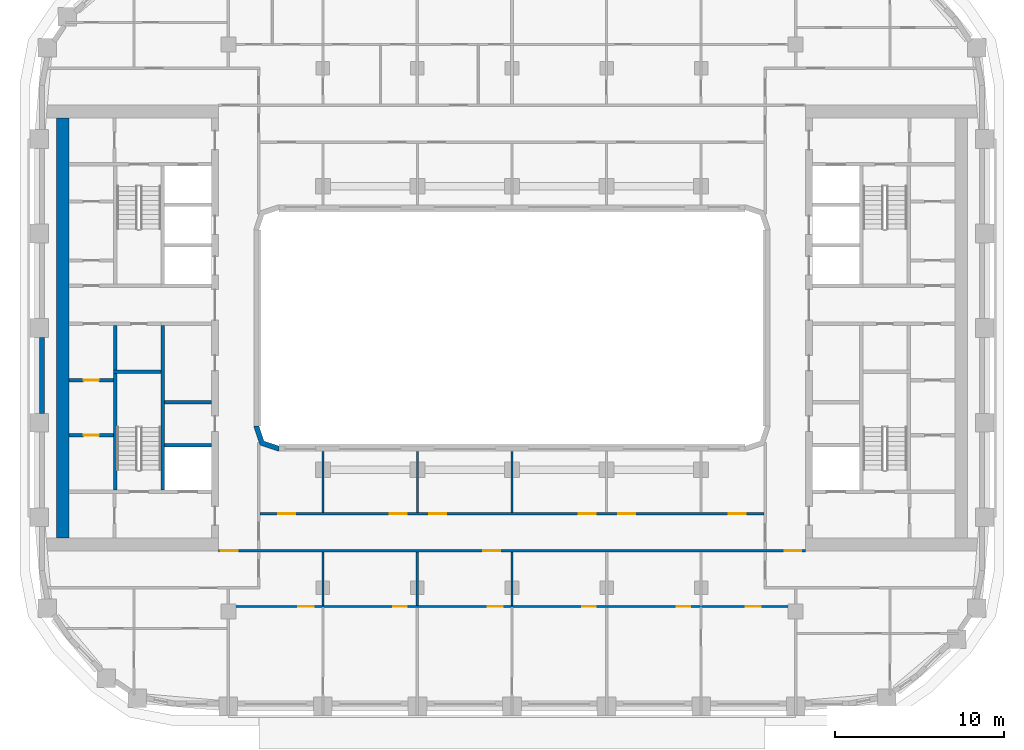
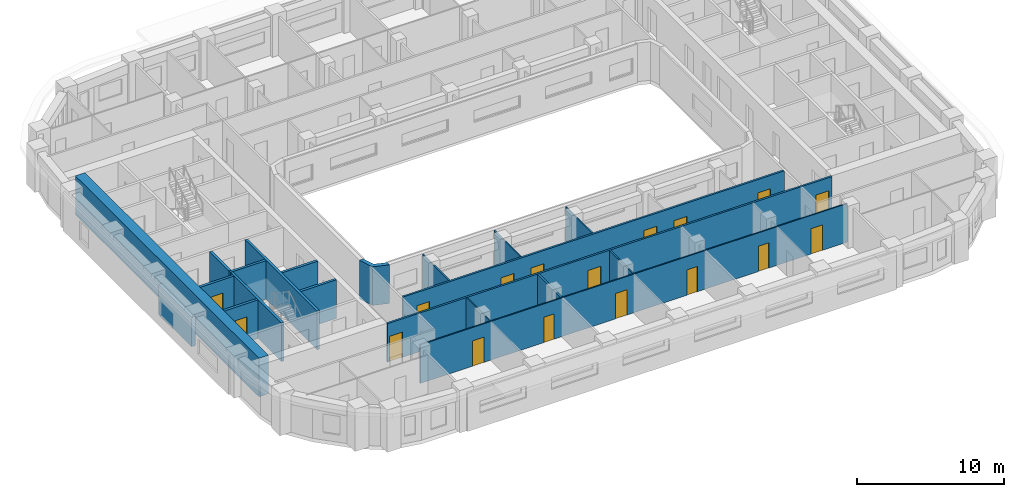
# One storey, part 3 of 22: 20 walls, 17 doors, 17 openings.
"""IFC4 building model written with IfcOpenShell, lengths in metres."""

from ifc_helpers import new_model, si_unit, direction, frame, frame_2d, origin, place, context, subcontext, project, spatial, polyline, rectangle, outline, extrude, material, layer, layer_set, type_object, element, fill, save


model = new_model("IFC4")

# Units and contexts
model_context = context("Model", 3, precision=1e-05, world=origin(), true_north=direction((0.0, 1.0)))
body_context = subcontext(model_context, "Body", "Model", "MODEL_VIEW")
ifc_project = project(units=[si_unit("LENGTHUNIT", "METRE"), si_unit("AREAUNIT", "SQUARE_METRE"), si_unit("VOLUMEUNIT", "CUBIC_METRE"), si_unit("PLANEANGLEUNIT", "RADIAN"), si_unit("MASSUNIT", "GRAM", prefix="KILO")], contexts=[model_context])

# Site, building, storey
site_placement = place(None, origin())
site = spatial("IfcSite", under=ifc_project, at=site_placement, CompositionType="ELEMENT")
building_placement = place(site_placement, origin())
building = spatial("IfcBuilding", under=site, at=building_placement, Name="Kiln Ring Residences", CompositionType="ELEMENT")
storey_placement = place(building_placement, frame((0.0, 0.0, 153.60009765625)))
storey = spatial("IfcBuildingStorey", under=building, at=storey_placement, Name="L39", CompositionType="ELEMENT", Elevation=153.60009765625)

# Walls
ifc_material_1 = material(Name="Gypsum board on steel studs", Category="steel")
ifc_layer_1 = layer(ifc_material_1, 0.199951171875)
ifc_layer_set_1 = layer_set([ifc_layer_1], Name="CORE-PARTITION-200")
wall_type_1 = type_object("IfcWallType", Name="CORE-PARTITION-200", PredefinedType="PARTITIONING", material=ifc_layer_set_1)
wall_1_placement = place(storey_placement, frame((-23.5, -2.5, 0.0), z_axis=(0.0, 0.0, 1.0), x_axis=(0.0, 1.0, 0.0)))
element("IfcWall", 1, at=wall_1_placement, inside=storey, type_object=wall_type_1, Name="Core partition west L39 1", PredefinedType="PARTITIONING", context=body_context, shape_type="SweptSolid", body=[
    extrude(rectangle(XDim=2.64990234375, YDim=0.199951171875, at=frame_2d((1.324951171875, 0.0))), origin(), (0.0, 0.0, 1.0), 3.199951171875),
])
wall_2_placement = place(storey_placement, frame((-17.800048828125, -4.39990234375, 0.0), z_axis=(0.0, 0.0, 1.0), x_axis=(-1.0, 0.0, 0.0)))
element("IfcWall", 2, at=wall_2_placement, inside=storey, type_object=wall_type_1, Name="Core partition west L39 3", PredefinedType="PARTITIONING", context=body_context, shape_type="SweptSolid", body=[
    extrude(rectangle(XDim=2.800048828125, YDim=0.199951171875, at=frame_2d((1.39990234375, 0.0))), origin(), (0.0, 0.0, 1.0), 3.199951171875),
])

# Wall, opening, door
wall_3_placement = place(storey_placement, frame((-23.60009765625, -6.35009765625, 0.0), z_axis=(0.0, 0.0, 1.0), x_axis=(-1.0, 0.0, 0.0)))
wall_3 = element("IfcWall", 3, at=wall_3_placement, inside=storey, type_object=wall_type_1, Name="Core partition west L39 6", PredefinedType="PARTITIONING", context=body_context, shape_type="SweptSolid", body=[
    extrude(rectangle(XDim=2.64990234375, YDim=0.199951171875, at=frame_2d((1.324951171875, 0.0))), origin(), (0.0, 0.0, 1.0), 3.199951171875),
])
opening_1_placement = place(wall_3_placement, frame((0.875, 0.0, 0.0)))
opening_1 = element("IfcOpeningElement", 4, at=opening_1_placement, cuts=wall_3, Name="Opening L39-CW15", PredefinedType="OPENING", context=body_context, shape_type="SweptSolid", body=[
    extrude(rectangle(XDim=0.89990234375, YDim=2.10009765625, at=frame_2d((0.449951171875, 1.050048828125))), frame((0.0, 0.10986328125, 0.0), z_axis=(0.0, -1.0, 0.0), x_axis=(1.0, 0.0, 0.0)), (0.0, 0.0, 1.0), 0.219970703125),
])
ifc_material_2 = material(Name="Steel door leaf", Category="steel")
door_type_1 = type_object("IfcDoorType", Name="CORE-DOOR-ROOM", OperationType="SINGLE_SWING_LEFT", PredefinedType="DOOR", material=ifc_material_2)
door_1_placement = place(opening_1_placement, origin())
door_1 = element("IfcDoor", 5, at=door_1_placement, inside=storey, type_object=door_type_1, Name="Meter room L39-CW15", OperationType="SINGLE_SWING_RIGHT", OverallHeight=2.10009765625, OverallWidth=0.89990234375, PredefinedType="DOOR", context=body_context, shape_type="SweptSolid", body=[
    extrude(rectangle(XDim=0.89990234375, YDim=2.10009765625, at=frame_2d((0.449951171875, 1.050048828125))), frame((0.0, 0.02490234375, 0.0), z_axis=(0.0, -1.0, 0.0), x_axis=(1.0, 0.0, 0.0)), (0.0, 0.0, 1.0), 0.050048828125),
])
fill(opening_1, door_1)

wall_4_placement = place(storey_placement, frame((-23.60009765625, -3.10009765625, 0.0), z_axis=(0.0, 0.0, 1.0), x_axis=(-1.0, 0.0, 0.0)))
wall_4 = element("IfcWall", 6, at=wall_4_placement, inside=storey, type_object=wall_type_1, Name="Core partition west L39 7", PredefinedType="PARTITIONING", context=body_context, shape_type="SweptSolid", body=[
    extrude(rectangle(XDim=2.64990234375, YDim=0.199951171875, at=frame_2d((1.324951171875, 0.0))), origin(), (0.0, 0.0, 1.0), 3.199951171875),
])
opening_2_placement = place(wall_4_placement, frame((0.875, 0.0, 0.0)))
opening_2 = element("IfcOpeningElement", 7, at=opening_2_placement, cuts=wall_4, Name="Opening L39-CW16", PredefinedType="OPENING", context=body_context, shape_type="SweptSolid", body=[
    extrude(rectangle(XDim=0.89990234375, YDim=2.10009765625, at=frame_2d((0.449951171875, 1.050048828125))), frame((0.0, 0.10986328125, 0.0), z_axis=(0.0, -1.0, 0.0), x_axis=(1.0, 0.0, 0.0)), (0.0, 0.0, 1.0), 0.219970703125),
])
door_2_placement = place(opening_2_placement, origin())
door_2 = element("IfcDoor", 8, at=door_2_placement, inside=storey, type_object=door_type_1, Name="Plant room L39-CW16", OperationType="SINGLE_SWING_LEFT", OverallHeight=2.10009765625, OverallWidth=0.89990234375, PredefinedType="DOOR", context=body_context, shape_type="SweptSolid", body=[
    extrude(rectangle(XDim=0.89990234375, YDim=2.10009765625, at=frame_2d((0.449951171875, 1.050048828125))), frame((0.0, 0.02490234375, 0.0), z_axis=(0.0, -1.0, 0.0), x_axis=(1.0, 0.0, 0.0)), (0.0, 0.0, 1.0), 0.050048828125),
])
fill(opening_2, door_2)

# Walls
ifc_material_3 = material(Name="Gypsum shaft wall system")
ifc_layer_2 = layer(ifc_material_3, 0.199951171875)
ifc_layer_set_2 = layer_set([ifc_layer_2], Name="CORE-SHAFT-WALL-200")
wall_type_2 = type_object("IfcWallType", Name="CORE-SHAFT-WALL-200", PredefinedType="PARTITIONING", material=ifc_layer_set_2)
wall_5_placement = place(storey_placement, frame((-17.800048828125, -6.949951171875, 0.0), z_axis=(0.0, 0.0, 1.0), x_axis=(-1.0, 0.0, 0.0)))
element("IfcWall", 9, at=wall_5_placement, inside=storey, type_object=wall_type_2, Name="Core partition west L39 10", PredefinedType="PARTITIONING", context=body_context, shape_type="SweptSolid", body=[
    extrude(rectangle(XDim=2.800048828125, YDim=0.199951171875, at=frame_2d((1.39990234375, 0.0))), origin(), (0.0, 0.0, 1.0), 3.199951171875),
])
ifc_material_4 = material(Name="Concrete C40/50", Category="concrete")
ifc_layer_3 = layer(ifc_material_4, 0.199951171875)
ifc_layer_set_3 = layer_set([ifc_layer_3], Name="CORE-WALL-RC200")
wall_type_3 = type_object("IfcWallType", Name="CORE-WALL-RC200", PredefinedType="SHEAR", material=ifc_layer_set_3)
wall_6_placement = place(storey_placement, frame((-20.699951171875, -9.60009765625, 0.0), z_axis=(0.0, 0.0, 1.0), x_axis=(0.0, 1.0, 0.0)))
element("IfcWall", 10, at=wall_6_placement, inside=storey, type_object=wall_type_3, Name="Core wall west L39 2", PredefinedType="SHEAR", context=body_context, shape_type="SweptSolid", body=[
    extrude(rectangle(XDim=9.75, YDim=0.199951171875, at=frame_2d((4.875, 0.0))), origin(), (0.0, 0.0, 1.0), 3.199951171875),
])
wall_7_placement = place(storey_placement, frame((-23.5, -9.60009765625, 0.0), z_axis=(0.0, 0.0, 1.0), x_axis=(0.0, 1.0, 0.0)))
element("IfcWall", 11, at=wall_7_placement, inside=storey, type_object=wall_type_3, Name="Core wall west L39 11", PredefinedType="SHEAR", context=body_context, shape_type="SweptSolid", body=[
    extrude(rectangle(XDim=6.900146484375, YDim=0.199951171875, at=frame_2d((3.4501953125, 0.0))), origin(), (0.0, 0.0, 1.0), 3.199951171875),
])
wall_8_placement = place(storey_placement, frame((-20.800048828125, -2.60009765625, 0.0), z_axis=(0.0, 0.0, 1.0), x_axis=(-1.0, 0.0, 0.0)))
element("IfcWall", 12, at=wall_8_placement, inside=storey, type_object=wall_type_3, Name="Core wall west L39 12", PredefinedType="SHEAR", context=body_context, shape_type="SweptSolid", body=[
    extrude(rectangle(XDim=2.800048828125, YDim=0.199951171875, at=frame_2d((1.39990234375, 0.0))), origin(), (0.0, 0.0, 1.0), 3.199951171875),
])
ifc_material_5 = material(Name="Concrete C60/75", Category="concrete")
ifc_layer_4 = layer(ifc_material_5, 0.75)
ifc_layer_set_4 = layer_set([ifc_layer_4], Name="CORE-WALL-RC750")
wall_type_4 = type_object("IfcWallType", Name="CORE-WALL-RC750", PredefinedType="SHEAR", material=ifc_layer_set_4)
wall_9_placement = place(storey_placement, frame((-26.625, -12.449951171875, 0.0), z_axis=(0.0, 0.0, 1.0), x_axis=(0.0, 1.0, 0.0)))
element("IfcWall", 13, at=wall_9_placement, inside=storey, type_object=wall_type_4, Name="Core wall west L39 7", PredefinedType="SHEAR", context=body_context, shape_type="SweptSolid", body=[
    extrude(rectangle(XDim=24.89990234375, YDim=0.75, at=frame_2d((12.449951171875, 0.0))), origin(), (0.0, 0.0, 1.0), 3.199951171875),
])
ifc_material_6 = material(Name="Brick masonry, dark clay brick", Category="masonry")
ifc_layer_5 = layer(ifc_material_6, 0.300048828125)
ifc_layer_set_5 = layer_set([ifc_layer_5], Name="EW-300 BRICK WALL")
wall_type_5 = type_object("IfcWallType", Name="EW-300 BRICK WALL", PredefinedType="SOLIDWALL", material=ifc_layer_set_5)
wall_10_placement = place(storey_placement, frame((-27.85009765625, -0.550048828125, 0.0), z_axis=(0.0, 0.0, 1.0), x_axis=(0.0, -1.0, 0.0)))
element("IfcWall", 14, at=wall_10_placement, inside=storey, type_object=wall_type_5, Name="Facade wall L39 44", PredefinedType="SOLIDWALL", context=body_context, shape_type="SweptSolid", body=[
    extrude(rectangle(XDim=4.5, YDim=0.300048828125, at=frame_2d((2.25, 0.0))), origin(), (0.0, 0.0, 1.0), 2.449951171875),
])
wall_11_placement = place(storey_placement, origin())
element("IfcWall", 15, at=wall_11_placement, inside=storey, type_object=wall_type_5, Name="Corner wall L39 4", PredefinedType="SOLIDWALL", context=body_context, shape_type="SweptSolid", body=[
    extrude(outline(polyline([(-14.937255859375, -6.937255859375), (-13.8486328125, -7.300048828125), (-13.800048828125, -7.300048828125), (-13.800048828125, -7.0), (-14.699951171875, -6.699951171875), (-15.0, -5.800048828125), (-15.300048828125, -5.800048828125), (-15.300048828125, -5.8486328125), (-14.937255859375, -6.937255859375)])), origin(), (0.0, 0.0, 1.0), 3.199951171875),
])

# Wall, openings, doors
ifc_material_7 = material(Name="Gypsum board on steel studs", Category="steel")
ifc_layer_6 = layer(ifc_material_7, 0.10009765625)
ifc_layer_set_6 = layer_set([ifc_layer_6], Name="PARTITION-100")
wall_type_6 = type_object("IfcWallType", Name="PARTITION-100", PredefinedType="PARTITIONING", material=ifc_layer_set_6)
wall_12_placement = place(storey_placement, frame((-16.72509765625, -16.5, 0.0), z_axis=(0.0, 0.0, 1.0), x_axis=(1.0, 0.0, 0.0)))
wall_12 = element("IfcWall", 16, at=wall_12_placement, inside=storey, type_object=wall_type_6, Name="Partition 002", PredefinedType="PARTITIONING", context=body_context, shape_type="SweptSolid", body=[
    extrude(rectangle(XDim=33.4501953125, YDim=0.10009765625, at=frame_2d((16.72509765625, 0.0))), origin(), (0.0, 0.0, 1.0), 3.199951171875),
])
opening_3_placement = place(wall_12_placement, frame((9.675048828125, 0.0, 0.0)))
opening_3 = element("IfcOpeningElement", 17, at=opening_3_placement, cuts=wall_12, Name="Opening L39-D045", PredefinedType="OPENING", context=body_context, shape_type="SweptSolid", body=[
    extrude(rectangle(XDim=0.800048828125, YDim=2.10009765625, at=frame_2d((0.39990234375, 1.050048828125))), frame((0.0, 0.06005859375, 0.0), z_axis=(0.0, -1.0, 0.0), x_axis=(1.0, 0.0, 0.0)), (0.0, 0.0, 1.0), 0.1201171875),
])
opening_4_placement = place(wall_12_placement, frame((4.074951171875, 0.0, 0.0)))
opening_4 = element("IfcOpeningElement", 18, at=opening_4_placement, cuts=wall_12, Name="Opening L39-D046", PredefinedType="OPENING", context=body_context, shape_type="SweptSolid", body=[
    extrude(rectangle(XDim=0.89990234375, YDim=2.10009765625, at=frame_2d((0.449951171875, 1.050048828125))), frame((0.0, 0.06005859375, 0.0), z_axis=(0.0, -1.0, 0.0), x_axis=(1.0, 0.0, 0.0)), (0.0, 0.0, 1.0), 0.1201171875),
])
opening_5_placement = place(wall_12_placement, frame((20.875, 0.0, 0.0)))
opening_5 = element("IfcOpeningElement", 19, at=opening_5_placement, cuts=wall_12, Name="Opening L39-D049", PredefinedType="OPENING", context=body_context, shape_type="SweptSolid", body=[
    extrude(rectangle(XDim=0.800048828125, YDim=2.10009765625, at=frame_2d((0.39990234375, 1.050048828125))), frame((0.0, 0.06005859375, 0.0), z_axis=(0.0, -1.0, 0.0), x_axis=(1.0, 0.0, 0.0)), (0.0, 0.0, 1.0), 0.1201171875),
])
opening_6_placement = place(wall_12_placement, frame((15.27490234375, 0.0, 0.0)))
opening_6 = element("IfcOpeningElement", 20, at=opening_6_placement, cuts=wall_12, Name="Opening L39-D050", PredefinedType="OPENING", context=body_context, shape_type="SweptSolid", body=[
    extrude(rectangle(XDim=0.89990234375, YDim=2.10009765625, at=frame_2d((0.449951171875, 1.050048828125))), frame((0.0, 0.06005859375, 0.0), z_axis=(0.0, -1.0, 0.0), x_axis=(1.0, 0.0, 0.0)), (0.0, 0.0, 1.0), 0.1201171875),
])
opening_7_placement = place(wall_12_placement, frame((26.47509765625, 0.0, 0.0)))
opening_7 = element("IfcOpeningElement", 21, at=opening_7_placement, cuts=wall_12, Name="Opening L39-D053", PredefinedType="OPENING", context=body_context, shape_type="SweptSolid", body=[
    extrude(rectangle(XDim=0.800048828125, YDim=2.10009765625, at=frame_2d((0.39990234375, 1.050048828125))), frame((0.0, 0.06005859375, 0.0), z_axis=(0.0, -1.0, 0.0), x_axis=(1.0, 0.0, 0.0)), (0.0, 0.0, 1.0), 0.1201171875),
])
opening_8_placement = place(wall_12_placement, frame((30.574951171875, 0.0, 0.0)))
opening_8 = element("IfcOpeningElement", 22, at=opening_8_placement, cuts=wall_12, Name="Opening L39-D054", PredefinedType="OPENING", context=body_context, shape_type="SweptSolid", body=[
    extrude(rectangle(XDim=0.89990234375, YDim=2.10009765625, at=frame_2d((0.449951171875, 1.050048828125))), frame((0.0, 0.06005859375, 0.0), z_axis=(0.0, -1.0, 0.0), x_axis=(1.0, 0.0, 0.0)), (0.0, 0.0, 1.0), 0.1201171875),
])
ifc_material_8 = material(Name="Timber door leaf", Category="wood")
door_type_2 = type_object("IfcDoorType", Name="FLAT-DOOR-800-PL", OperationType="SINGLE_SWING_LEFT", PredefinedType="DOOR", material=ifc_material_8)
door_3_placement = place(opening_3_placement, origin())
door_3 = element("IfcDoor", 23, at=door_3_placement, inside=storey, type_object=door_type_2, Name="Door L39-D045", OperationType="SINGLE_SWING_LEFT", OverallHeight=2.10009765625, OverallWidth=0.800048828125, PredefinedType="DOOR", context=body_context, shape_type="SweptSolid", body=[
    extrude(rectangle(XDim=0.800048828125, YDim=2.10009765625, at=frame_2d((0.39990234375, 1.050048828125))), frame((0.0, 0.02490234375, 0.0), z_axis=(0.0, -1.0, 0.0), x_axis=(1.0, 0.0, 0.0)), (0.0, 0.0, 1.0), 0.050048828125),
])
fill(opening_3, door_3)
door_4_placement = place(opening_5_placement, origin())
door_4 = element("IfcDoor", 24, at=door_4_placement, inside=storey, type_object=door_type_2, Name="Door L39-D049", OperationType="SINGLE_SWING_LEFT", OverallHeight=2.10009765625, OverallWidth=0.800048828125, PredefinedType="DOOR", context=body_context, shape_type="SweptSolid", body=[
    extrude(rectangle(XDim=0.800048828125, YDim=2.10009765625, at=frame_2d((0.39990234375, 1.050048828125))), frame((0.0, 0.02490234375, 0.0), z_axis=(0.0, -1.0, 0.0), x_axis=(1.0, 0.0, 0.0)), (0.0, 0.0, 1.0), 0.050048828125),
])
fill(opening_5, door_4)
door_5_placement = place(opening_7_placement, origin())
door_5 = element("IfcDoor", 25, at=door_5_placement, inside=storey, type_object=door_type_2, Name="Door L39-D053", OperationType="SINGLE_SWING_LEFT", OverallHeight=2.10009765625, OverallWidth=0.800048828125, PredefinedType="DOOR", context=body_context, shape_type="SweptSolid", body=[
    extrude(rectangle(XDim=0.800048828125, YDim=2.10009765625, at=frame_2d((0.39990234375, 1.050048828125))), frame((0.0, 0.02490234375, 0.0), z_axis=(0.0, -1.0, 0.0), x_axis=(1.0, 0.0, 0.0)), (0.0, 0.0, 1.0), 0.050048828125),
])
fill(opening_7, door_5)
ifc_material_9 = material(Name="Timber door leaf", Category="wood")
door_type_3 = type_object("IfcDoorType", Name="FLAT-DOOR-900-PL", OperationType="SINGLE_SWING_LEFT", PredefinedType="DOOR", material=ifc_material_9)
door_6_placement = place(opening_4_placement, origin())
door_6 = element("IfcDoor", 26, at=door_6_placement, inside=storey, type_object=door_type_3, Name="Door L39-D046", OperationType="SINGLE_SWING_RIGHT", OverallHeight=2.10009765625, OverallWidth=0.89990234375, PredefinedType="DOOR", context=body_context, shape_type="SweptSolid", body=[
    extrude(rectangle(XDim=0.89990234375, YDim=2.10009765625, at=frame_2d((0.449951171875, 1.050048828125))), frame((0.0, 0.02490234375, 0.0), z_axis=(0.0, -1.0, 0.0), x_axis=(1.0, 0.0, 0.0)), (0.0, 0.0, 1.0), 0.050048828125),
])
fill(opening_4, door_6)
door_7_placement = place(opening_6_placement, origin())
door_7 = element("IfcDoor", 27, at=door_7_placement, inside=storey, type_object=door_type_3, Name="Door L39-D050", OperationType="SINGLE_SWING_RIGHT", OverallHeight=2.10009765625, OverallWidth=0.89990234375, PredefinedType="DOOR", context=body_context, shape_type="SweptSolid", body=[
    extrude(rectangle(XDim=0.89990234375, YDim=2.10009765625, at=frame_2d((0.449951171875, 1.050048828125))), frame((0.0, 0.02490234375, 0.0), z_axis=(0.0, -1.0, 0.0), x_axis=(1.0, 0.0, 0.0)), (0.0, 0.0, 1.0), 0.050048828125),
])
fill(opening_6, door_7)
door_8_placement = place(opening_8_placement, origin())
door_8 = element("IfcDoor", 28, at=door_8_placement, inside=storey, type_object=door_type_3, Name="Door L39-D054", OperationType="SINGLE_SWING_RIGHT", OverallHeight=2.10009765625, OverallWidth=0.89990234375, PredefinedType="DOOR", context=body_context, shape_type="SweptSolid", body=[
    extrude(rectangle(XDim=0.89990234375, YDim=2.10009765625, at=frame_2d((0.449951171875, 1.050048828125))), frame((0.0, 0.02490234375, 0.0), z_axis=(0.0, -1.0, 0.0), x_axis=(1.0, 0.0, 0.0)), (0.0, 0.0, 1.0), 0.050048828125),
])
fill(opening_8, door_8)

# Walls
wall_13_placement = place(storey_placement, frame((-11.199951171875, -16.449951171875, 0.0), z_axis=(0.0, 0.0, 1.0), x_axis=(0.0, 1.0, 0.0)))
element("IfcWall", 29, at=wall_13_placement, inside=storey, type_object=wall_type_6, Name="Partition 026", PredefinedType="PARTITIONING", context=body_context, shape_type="SweptSolid", body=[
    extrude(rectangle(XDim=3.175048828125, YDim=0.10009765625, at=frame_2d((1.58740234375, 0.0))), origin(), (0.0, 0.0, 1.0), 3.199951171875),
])
for number, where, z_axis, x_axis, name in (
    (30, (-11.199951171875, -10.925048828125, 0.0), (0.0, 0.0, 1.0), (0.0, 1.0, 0.0), "Partition 027"),
    (31, (-5.60009765625, -10.925048828125, 0.0), (0.0, 0.0, 1.0), (0.0, 1.0, 0.0), "Partition 032"),
):
    element("IfcWall", number, at=place(storey_placement, frame(where, z_axis=z_axis, x_axis=x_axis)), inside=storey, type_object=wall_type_6, Name=name, PredefinedType="PARTITIONING", context=body_context, shape_type="SweptSolid", body=[
        extrude(rectangle(XDim=3.60498046875, YDim=0.10009765625, at=frame_2d((1.802490234375, 0.0))), origin(), (0.0, 0.0, 1.0), 3.199951171875),
    ])
wall_14_placement = place(storey_placement, frame((0.0, -16.449951171875, 0.0), z_axis=(0.0, 0.0, 1.0), x_axis=(0.0, 1.0, 0.0)))
element("IfcWall", 32, at=wall_14_placement, inside=storey, type_object=wall_type_6, Name="Partition 040", PredefinedType="PARTITIONING", context=body_context, shape_type="SweptSolid", body=[
    extrude(rectangle(XDim=3.175048828125, YDim=0.10009765625, at=frame_2d((1.58740234375, 0.0))), origin(), (0.0, 0.0, 1.0), 3.199951171875),
])
wall_15_placement = place(storey_placement, frame((0.0, -10.925048828125, 0.0), z_axis=(0.0, 0.0, 1.0), x_axis=(0.0, 1.0, 0.0)))
element("IfcWall", 33, at=wall_15_placement, inside=storey, type_object=wall_type_6, Name="Partition 041", PredefinedType="PARTITIONING", context=body_context, shape_type="SweptSolid", body=[
    extrude(rectangle(XDim=3.60498046875, YDim=0.10009765625, at=frame_2d((1.802490234375, 0.0))), origin(), (0.0, 0.0, 1.0), 3.199951171875),
])

# Wall, openings, doors
ifc_material_10 = material(Name="Brick masonry partition", Category="masonry")
ifc_layer_7 = layer(ifc_material_10, 0.14990234375)
ifc_layer_set_7 = layer_set([ifc_layer_7], Name="PARTITION-150-ei60")
wall_type_7 = type_object("IfcWallType", Name="PARTITION-150-ei60", PredefinedType="PARTITIONING", material=ifc_layer_set_7)
wall_16_placement = place(storey_placement, frame((-17.39990234375, -13.199951171875, 0.0), z_axis=(0.0, 0.0, 1.0), x_axis=(1.0, 0.0, 0.0)))
wall_16 = element("IfcWall", 34, at=wall_16_placement, inside=storey, type_object=wall_type_7, Name="Partition 005", PredefinedType="PARTITIONING", context=body_context, shape_type="SweptSolid", body=[
    extrude(rectangle(XDim=34.7998046875, YDim=0.14990234375, at=frame_2d((17.39990234375, 0.0))), origin(), (0.0, 0.0, 1.0), 3.199951171875),
])
opening_9_placement = place(wall_16_placement, frame((0.14990234375, 0.0, 0.0)))
opening_9 = element("IfcOpeningElement", 35, at=opening_9_placement, cuts=wall_16, Name="Opening L39-D007", PredefinedType="OPENING", context=body_context, shape_type="SweptSolid", body=[
    extrude(rectangle(XDim=1.0, YDim=2.10009765625, at=frame_2d((0.5, 1.050048828125))), frame((0.0, 0.0849609375, 0.0), z_axis=(0.0, -1.0, 0.0), x_axis=(1.0, 0.0, 0.0)), (0.0, 0.0, 1.0), 0.169921875),
])
opening_10_placement = place(wall_16_placement, frame((33.550048828125, 0.0, 0.0)))
opening_10 = element("IfcOpeningElement", 36, at=opening_10_placement, cuts=wall_16, Name="Opening L39-D008", PredefinedType="OPENING", context=body_context, shape_type="SweptSolid", body=[
    extrude(rectangle(XDim=1.0, YDim=2.10009765625, at=frame_2d((0.5, 1.050048828125))), frame((0.0, 0.0849609375, 0.0), z_axis=(0.0, -1.0, 0.0), x_axis=(1.0, 0.0, 0.0)), (0.0, 0.0, 1.0), 0.169921875),
])
opening_11_placement = place(wall_16_placement, frame((15.699951171875, 0.0, 0.0)))
opening_11 = element("IfcOpeningElement", 37, at=opening_11_placement, cuts=wall_16, Name="Opening L39-D048", PredefinedType="OPENING", context=body_context, shape_type="SweptSolid", body=[
    extrude(rectangle(XDim=1.0, YDim=2.10009765625, at=frame_2d((0.5, 1.050048828125))), frame((0.0, 0.0849609375, 0.0), z_axis=(0.0, -1.0, 0.0), x_axis=(1.0, 0.0, 0.0)), (0.0, 0.0, 1.0), 0.169921875),
])
ifc_material_11 = material(Name="Steel faced fire door leaf", Category="steel")
door_type_4 = type_object("IfcDoorType", Name="FLAT-DOOR-1000-FR", OperationType="SINGLE_SWING_LEFT", PredefinedType="DOOR", material=ifc_material_11)
door_9_placement = place(opening_9_placement, origin())
door_9 = element("IfcDoor", 38, at=door_9_placement, inside=storey, type_object=door_type_4, Name="Door L39-D007", OperationType="SINGLE_SWING_RIGHT", OverallHeight=2.10009765625, OverallWidth=1.0, PredefinedType="DOOR", context=body_context, shape_type="SweptSolid", body=[
    extrude(rectangle(XDim=1.0, YDim=2.10009765625, at=frame_2d((0.5, 1.050048828125))), frame((0.0, 0.02490234375, 0.0), z_axis=(0.0, -1.0, 0.0), x_axis=(1.0, 0.0, 0.0)), (0.0, 0.0, 1.0), 0.050048828125),
])
fill(opening_9, door_9)
door_10_placement = place(opening_10_placement, origin())
door_10 = element("IfcDoor", 39, at=door_10_placement, inside=storey, type_object=door_type_4, Name="Door L39-D008", OperationType="SINGLE_SWING_LEFT", OverallHeight=2.10009765625, OverallWidth=1.0, PredefinedType="DOOR", context=body_context, shape_type="SweptSolid", body=[
    extrude(rectangle(XDim=1.0, YDim=2.10009765625, at=frame_2d((0.5, 1.050048828125))), frame((0.0, 0.02490234375, 0.0), z_axis=(0.0, -1.0, 0.0), x_axis=(1.0, 0.0, 0.0)), (0.0, 0.0, 1.0), 0.050048828125),
])
fill(opening_10, door_10)
door_11_placement = place(opening_11_placement, origin())
door_11 = element("IfcDoor", 40, at=door_11_placement, inside=storey, type_object=door_type_4, Name="Door L39-D048", OperationType="SINGLE_SWING_RIGHT", OverallHeight=2.10009765625, OverallWidth=1.0, PredefinedType="DOOR", context=body_context, shape_type="SweptSolid", body=[
    extrude(rectangle(XDim=1.0, YDim=2.10009765625, at=frame_2d((0.5, 1.050048828125))), frame((0.0, 0.02490234375, 0.0), z_axis=(0.0, -1.0, 0.0), x_axis=(1.0, 0.0, 0.0)), (0.0, 0.0, 1.0), 0.050048828125),
])
fill(opening_11, door_11)

wall_17_placement = place(storey_placement, frame((-14.925048828125, -11.0, 0.0), z_axis=(0.0, 0.0, 1.0), x_axis=(1.0, 0.0, 0.0)))
wall_17 = element("IfcWall", 41, at=wall_17_placement, inside=storey, type_object=wall_type_7, Name="Partition 006", PredefinedType="PARTITIONING", context=body_context, shape_type="SweptSolid", body=[
    extrude(rectangle(XDim=29.85009765625, YDim=0.14990234375, at=frame_2d((14.925048828125, 0.0))), origin(), (0.0, 0.0, 1.0), 3.199951171875),
])
opening_12_placement = place(wall_17_placement, frame((1.074951171875, 0.0, 0.0)))
opening_12 = element("IfcOpeningElement", 42, at=opening_12_placement, cuts=wall_17, Name="Opening L39-D038", PredefinedType="OPENING", context=body_context, shape_type="SweptSolid", body=[
    extrude(rectangle(XDim=1.0, YDim=2.10009765625, at=frame_2d((0.5, 1.050048828125))), frame((0.0, 0.0849609375, 0.0), z_axis=(0.0, -1.0, 0.0), x_axis=(1.0, 0.0, 0.0)), (0.0, 0.0, 1.0), 0.169921875),
])
opening_13_placement = place(wall_17_placement, frame((7.675048828125, 0.0, 0.0)))
opening_13 = element("IfcOpeningElement", 43, at=opening_13_placement, cuts=wall_17, Name="Opening L39-D039", PredefinedType="OPENING", context=body_context, shape_type="SweptSolid", body=[
    extrude(rectangle(XDim=1.0, YDim=2.10009765625, at=frame_2d((0.5, 1.050048828125))), frame((0.0, 0.0849609375, 0.0), z_axis=(0.0, -1.0, 0.0), x_axis=(1.0, 0.0, 0.0)), (0.0, 0.0, 1.0), 0.169921875),
])
opening_14_placement = place(wall_17_placement, frame((10.02490234375, 0.0, 0.0)))
opening_14 = element("IfcOpeningElement", 44, at=opening_14_placement, cuts=wall_17, Name="Opening L39-D040", PredefinedType="OPENING", context=body_context, shape_type="SweptSolid", body=[
    extrude(rectangle(XDim=1.0, YDim=2.10009765625, at=frame_2d((0.5, 1.050048828125))), frame((0.0, 0.0849609375, 0.0), z_axis=(0.0, -1.0, 0.0), x_axis=(1.0, 0.0, 0.0)), (0.0, 0.0, 1.0), 0.169921875),
])
opening_15_placement = place(wall_17_placement, frame((18.875, 0.0, 0.0)))
opening_15 = element("IfcOpeningElement", 45, at=opening_15_placement, cuts=wall_17, Name="Opening L39-D041", PredefinedType="OPENING", context=body_context, shape_type="SweptSolid", body=[
    extrude(rectangle(XDim=1.0, YDim=2.10009765625, at=frame_2d((0.5, 1.050048828125))), frame((0.0, 0.0849609375, 0.0), z_axis=(0.0, -1.0, 0.0), x_axis=(1.0, 0.0, 0.0)), (0.0, 0.0, 1.0), 0.169921875),
])
opening_16_placement = place(wall_17_placement, frame((21.22509765625, 0.0, 0.0)))
opening_16 = element("IfcOpeningElement", 46, at=opening_16_placement, cuts=wall_17, Name="Opening L39-D042", PredefinedType="OPENING", context=body_context, shape_type="SweptSolid", body=[
    extrude(rectangle(XDim=1.0, YDim=2.10009765625, at=frame_2d((0.5, 1.050048828125))), frame((0.0, 0.0849609375, 0.0), z_axis=(0.0, -1.0, 0.0), x_axis=(1.0, 0.0, 0.0)), (0.0, 0.0, 1.0), 0.169921875),
])
opening_17_placement = place(wall_17_placement, frame((27.77392578125, 0.0, 0.0)))
opening_17 = element("IfcOpeningElement", 47, at=opening_17_placement, cuts=wall_17, Name="Opening L39-D043", PredefinedType="OPENING", context=body_context, shape_type="SweptSolid", body=[
    extrude(rectangle(XDim=1.0, YDim=2.10009765625, at=frame_2d((0.5, 1.050048828125))), frame((0.0, 0.0849609375, 0.0), z_axis=(0.0, -1.0, 0.0), x_axis=(1.0, 0.0, 0.0)), (0.0, 0.0, 1.0), 0.169921875),
])
door_12_placement = place(opening_12_placement, origin())
door_12 = element("IfcDoor", 48, at=door_12_placement, inside=storey, type_object=door_type_4, Name="Door L39-D038", OperationType="SINGLE_SWING_RIGHT", OverallHeight=2.10009765625, OverallWidth=1.0, PredefinedType="DOOR", context=body_context, shape_type="SweptSolid", body=[
    extrude(rectangle(XDim=1.0, YDim=2.10009765625, at=frame_2d((0.5, 1.050048828125))), frame((0.0, 0.02490234375, 0.0), z_axis=(0.0, -1.0, 0.0), x_axis=(1.0, 0.0, 0.0)), (0.0, 0.0, 1.0), 0.050048828125),
])
fill(opening_12, door_12)
door_13_placement = place(opening_13_placement, origin())
door_13 = element("IfcDoor", 49, at=door_13_placement, inside=storey, type_object=door_type_4, Name="Door L39-D039", OperationType="SINGLE_SWING_LEFT", OverallHeight=2.10009765625, OverallWidth=1.0, PredefinedType="DOOR", context=body_context, shape_type="SweptSolid", body=[
    extrude(rectangle(XDim=1.0, YDim=2.10009765625, at=frame_2d((0.5, 1.050048828125))), frame((0.0, 0.02490234375, 0.0), z_axis=(0.0, -1.0, 0.0), x_axis=(1.0, 0.0, 0.0)), (0.0, 0.0, 1.0), 0.050048828125),
])
fill(opening_13, door_13)
door_14_placement = place(opening_14_placement, origin())
door_14 = element("IfcDoor", 50, at=door_14_placement, inside=storey, type_object=door_type_4, Name="Door L39-D040", OperationType="SINGLE_SWING_RIGHT", OverallHeight=2.10009765625, OverallWidth=1.0, PredefinedType="DOOR", context=body_context, shape_type="SweptSolid", body=[
    extrude(rectangle(XDim=1.0, YDim=2.10009765625, at=frame_2d((0.5, 1.050048828125))), frame((0.0, 0.02490234375, 0.0), z_axis=(0.0, -1.0, 0.0), x_axis=(1.0, 0.0, 0.0)), (0.0, 0.0, 1.0), 0.050048828125),
])
fill(opening_14, door_14)
door_15_placement = place(opening_15_placement, origin())
door_15 = element("IfcDoor", 51, at=door_15_placement, inside=storey, type_object=door_type_4, Name="Door L39-D041", OperationType="SINGLE_SWING_LEFT", OverallHeight=2.10009765625, OverallWidth=1.0, PredefinedType="DOOR", context=body_context, shape_type="SweptSolid", body=[
    extrude(rectangle(XDim=1.0, YDim=2.10009765625, at=frame_2d((0.5, 1.050048828125))), frame((0.0, 0.02490234375, 0.0), z_axis=(0.0, -1.0, 0.0), x_axis=(1.0, 0.0, 0.0)), (0.0, 0.0, 1.0), 0.050048828125),
])
fill(opening_15, door_15)
door_16_placement = place(opening_16_placement, origin())
door_16 = element("IfcDoor", 52, at=door_16_placement, inside=storey, type_object=door_type_4, Name="Door L39-D042", OperationType="SINGLE_SWING_RIGHT", OverallHeight=2.10009765625, OverallWidth=1.0, PredefinedType="DOOR", context=body_context, shape_type="SweptSolid", body=[
    extrude(rectangle(XDim=1.0, YDim=2.10009765625, at=frame_2d((0.5, 1.050048828125))), frame((0.0, 0.02490234375, 0.0), z_axis=(0.0, -1.0, 0.0), x_axis=(1.0, 0.0, 0.0)), (0.0, 0.0, 1.0), 0.050048828125),
])
fill(opening_16, door_16)
door_17_placement = place(opening_17_placement, origin())
door_17 = element("IfcDoor", 53, at=door_17_placement, inside=storey, type_object=door_type_4, Name="Door L39-D043", OperationType="SINGLE_SWING_LEFT", OverallHeight=2.10009765625, OverallWidth=1.0, PredefinedType="DOOR", context=body_context, shape_type="SweptSolid", body=[
    extrude(rectangle(XDim=1.0, YDim=2.10009765625, at=frame_2d((0.5, 1.050048828125))), frame((0.0, 0.02490234375, 0.0), z_axis=(0.0, -1.0, 0.0), x_axis=(1.0, 0.0, 0.0)), (0.0, 0.0, 1.0), 0.050048828125),
])
fill(opening_17, door_17)

# Wall
wall_18_placement = place(storey_placement, frame((-5.60009765625, -16.449951171875, 0.0), z_axis=(0.0, 0.0, 1.0), x_axis=(0.0, 1.0, 0.0)))
element("IfcWall", 54, at=wall_18_placement, inside=storey, type_object=wall_type_7, Name="Partition 035", PredefinedType="PARTITIONING", context=body_context, shape_type="SweptSolid", body=[
    extrude(rectangle(XDim=3.175048828125, YDim=0.14990234375, at=frame_2d((1.58740234375, 0.0))), origin(), (0.0, 0.0, 1.0), 3.199951171875),
])

save(model, "model.ifc")
